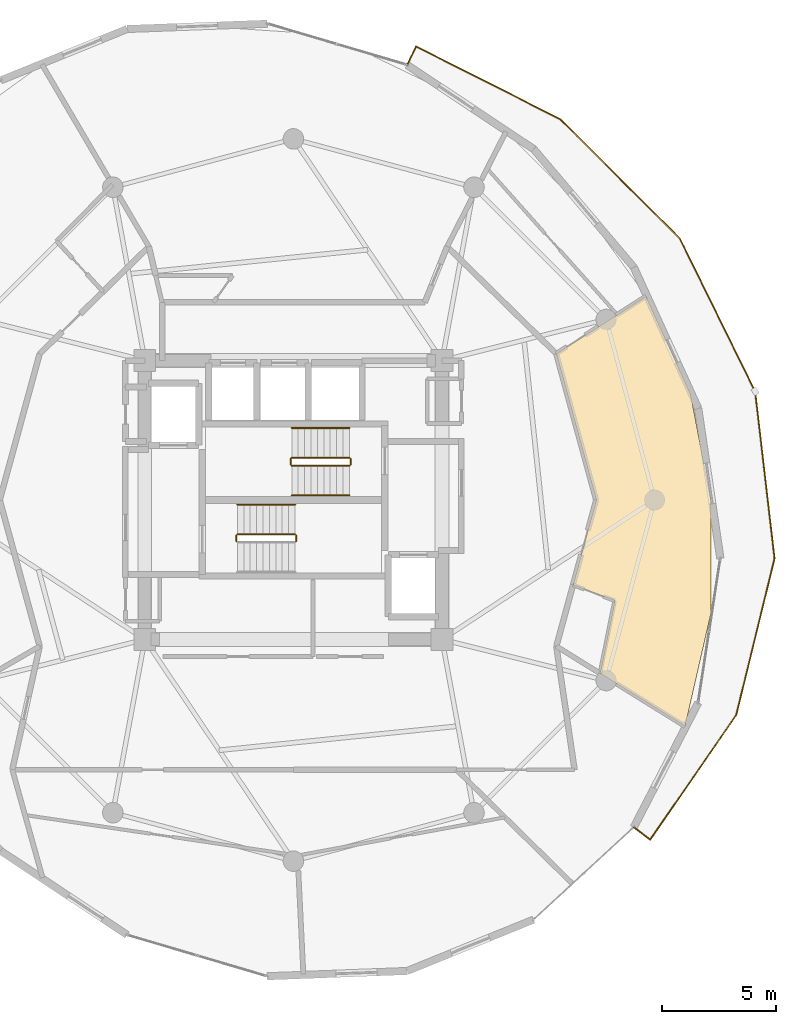
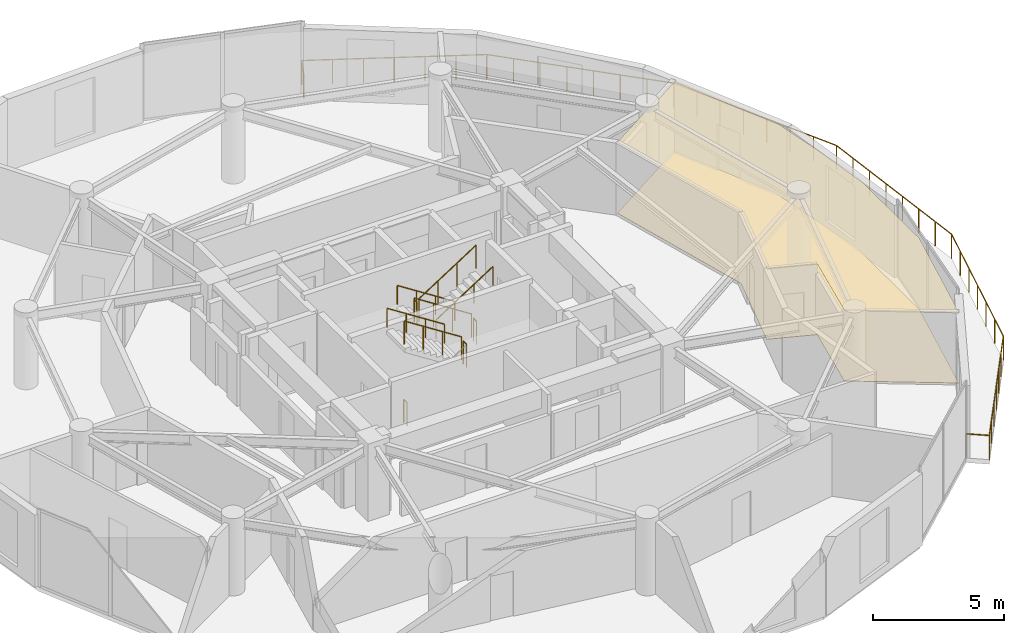
# One storey, part 23 of 24: 11 railings, 2 coverings.
"""IFC4 building model written with IfcOpenShell, lengths in metres."""

from ifc_helpers import new_model, si_unit, direction, frame, origin, origin_2d, place, context, subcontext, project, spatial, polyline, circle, outline, extrude, material, layer, layer_set, type_object, element, save


model = new_model("IFC4")

# Units and contexts
model_context = context("Model", 3, precision=1e-05, world=origin(), true_north=direction((0.0, 1.0)))
body_context = subcontext(model_context, "Body", "Model", "MODEL_VIEW")
ifc_project = project(units=[si_unit("LENGTHUNIT", "METRE"), si_unit("AREAUNIT", "SQUARE_METRE"), si_unit("VOLUMEUNIT", "CUBIC_METRE"), si_unit("PLANEANGLEUNIT", "RADIAN"), si_unit("MASSUNIT", "GRAM", prefix="KILO")], contexts=[model_context])

# Site, building, storey
site_placement = place(None, origin())
site = spatial("IfcSite", under=ifc_project, at=site_placement, CompositionType="ELEMENT")
building_placement = place(site_placement, origin())
building = spatial("IfcBuilding", under=site, at=building_placement, Name="Solvirekh Grand Hotel", CompositionType="ELEMENT")
storey_placement = place(building_placement, frame((0.0, 0.0, 184.0)))
storey = spatial("IfcBuildingStorey", under=building, at=storey_placement, Name="L47", CompositionType="ELEMENT", Elevation=184.0)

# Coverings
ifc_material_1 = material(Name="Acoustic Mineral Ceiling Tile")
ifc_layer_1 = layer(ifc_material_1, 0.02490234375)
ifc_layer_set_1 = layer_set([ifc_layer_1], Name="Acoustic Mineral Ceiling Tile")
covering_type_1 = type_object("IfcCoveringType", Name="Cov_Ceiling_Acoustic", PredefinedType="CEILING", material=ifc_layer_set_1)
covering_1_placement = place(storey_placement, frame((0.0, 0.0, 3.31005859375)))
element("IfcCovering", 1, at=covering_1_placement, inside=storey, type_object=covering_type_1, Name="L47 Diplomatic Suite 4903 Living Room acoustic ceiling", PredefinedType="CEILING", context=body_context, shape_type="SweptSolid", body=[
    extrude(outline(polyline([(14.06201171875, -4.40087890625), (13.4169921875, -7.587890625), (17.135009765625, -9.89306640625), (18.279052734375, -4.89794921875), (18.260986328125, 0.0), (17.3701171875, 4.654052734375), (15.428955078125, 8.907958984375), (11.501953125, 6.39990234375), (13.25, 0.0), (12.236083984375, -3.7119140625), (14.06201171875, -4.40087890625)])), origin(), (0.0, 0.0, 1.0), 0.017822265625),
])
ifc_material_2 = material(Name="Porcelain Stoneware Flooring", Category="masonry")
ifc_layer_2 = layer(ifc_material_2, 0.030029296875)
ifc_layer_set_2 = layer_set([ifc_layer_2], Name="Porcelain Stoneware Flooring")
covering_type_2 = type_object("IfcCoveringType", Name="Cov_Floor_Stone", PredefinedType="FLOORING", material=ifc_layer_set_2)
covering_2_placement = place(storey_placement, origin())
element("IfcCovering", 2, at=covering_2_placement, inside=storey, type_object=covering_type_2, Name="L47 Diplomatic Suite 4903 Living Room polished granite flooring", PredefinedType="FLOORING", context=body_context, shape_type="SweptSolid", body=[
    extrude(outline(polyline([(14.06201171875, -4.40087890625), (13.4169921875, -7.587890625), (17.135009765625, -9.89306640625), (18.279052734375, -4.89794921875), (18.260986328125, 0.0), (17.3701171875, 4.654052734375), (15.428955078125, 8.907958984375), (11.501953125, 6.39990234375), (13.25, 0.0), (12.236083984375, -3.7119140625), (14.06201171875, -4.40087890625)])), origin(), (0.0, 0.0, 1.0), 0.02001953125),
])

# Railings
ifc_material_3 = material(Name="Anodized Bronze Aluminium 6063-T6", Category="aluminium")
railing_type_1 = type_object("IfcRailingType", Name="Guard_ExtGlass_1150", PredefinedType="BALUSTRADE", material=ifc_material_3)
railing_1_placement = place(storey_placement, frame((14.89111328125, -14.319091796875, 0.0)))
element("IfcRailing", 3, at=railing_1_placement, inside=storey, type_object=railing_type_1, Name="L47 balc perimeter glass balustrade", PredefinedType="BALUSTRADE", context=body_context, shape_type="SweptSolid", body=[
    extrude(circle(Radius=0.02392578125, at=origin_2d()), frame((0.0, 0.0, 1.1259765625), z_axis=(0.796601162695, -0.60450524199, 0.0), x_axis=(0.60450524199, 0.796601162695, 0.0)), (0.0, 0.0, 1.0), 0.89990234375),
    extrude(circle(Radius=0.02392578125, at=origin_2d()), frame((0.716796875, -0.5439453125, 1.1259765625), z_axis=(0.568209721012, 0.822883778518, 0.0), x_axis=(-0.822883778518, 0.568209721012, 0.0)), (0.0, 0.0, 1.0), 6.6279296875),
    extrude(circle(Radius=0.02392578125, at=origin_2d()), frame((4.48291015625, 4.91015625, 1.1259765625), z_axis=(0.237768093972, 0.971321951512, 0.0), x_axis=(-0.971321951512, 0.237768093972, 0.0)), (0.0, 0.0, 1.0), 7.052978515625),
    extrude(circle(Radius=0.02392578125, at=origin_2d()), frame((6.159912109375, 11.760986328125, 1.1259765625), z_axis=(-0.115573972001, 0.993298875966, 0.0), x_axis=(-0.993298875966, -0.115573972001, 0.0)), (0.0, 0.0, 1.0), 7.35546875),
    extrude(circle(Radius=0.02392578125, at=origin_2d()), frame((5.309814453125, 19.067138671875, 1.1259765625), z_axis=(-0.442281327109, 0.896876372579, 0.0), x_axis=(-0.896876372579, -0.442281327109, 0.0)), (0.0, 0.0, 1.0), 7.474609375),
    extrude(circle(Radius=0.02392578125, at=origin_2d()), frame((2.00390625, 25.77099609375, 1.1259765625), z_axis=(-0.707983027488, 0.706229447693, 0.0), x_axis=(-0.706229447693, -0.707983027488, 0.0)), (0.0, 0.0, 1.0), 7.37890625),
    extrude(circle(Radius=0.02392578125, at=origin_2d()), frame((-3.22021484375, 30.982177734375, 1.1259765625), z_axis=(-0.892894952075, 0.450265038127, 0.0), x_axis=(-0.450265038127, -0.892894952075, 0.0)), (0.0, 0.0, 1.0), 7.066650390625),
    extrude(circle(Radius=0.02392578125, at=origin_2d()), frame((-9.530029296875, 34.1640625, 1.1259765625), z_axis=(-0.425810106034, -0.904812551637, 0.0), x_axis=(0.904812551637, -0.425810106034, 0.0)), (0.0, 0.0, 1.0), 0.899658203125),
    extrude(circle(Radius=0.02099609375, at=origin_2d()), origin(), (0.0, 0.0, 1.0), 1.101806640625),
    extrude(circle(Radius=0.02099609375, at=origin_2d()), frame((0.716796875, -0.5439453125, 0.0)), (0.0, 0.0, 1.0), 1.101806640625),
    extrude(circle(Radius=0.02099609375, at=origin_2d()), frame((1.344482421875, 0.364990234375, 0.0)), (0.0, 0.0, 1.0), 1.101806640625),
    extrude(circle(Radius=0.02099609375, at=origin_2d()), frame((1.97216796875, 1.274169921875, 0.0)), (0.0, 0.0, 1.0), 1.101806640625),
    extrude(circle(Radius=0.02099609375, at=origin_2d()), frame((2.599853515625, 2.18310546875, 0.0)), (0.0, 0.0, 1.0), 1.101806640625),
    extrude(circle(Radius=0.02099609375, at=origin_2d()), frame((3.2275390625, 3.092041015625, 0.0)), (0.0, 0.0, 1.0), 1.101806640625),
    extrude(circle(Radius=0.02099609375, at=origin_2d()), frame((3.855224609375, 4.001220703125, 0.0)), (0.0, 0.0, 1.0), 1.101806640625),
    extrude(circle(Radius=0.02099609375, at=origin_2d()), frame((4.48291015625, 4.91015625, 0.0)), (0.0, 0.0, 1.0), 1.101806640625),
    extrude(circle(Radius=0.02099609375, at=origin_2d()), frame((4.762451171875, 6.052001953125, 0.0)), (0.0, 0.0, 1.0), 1.101806640625),
    extrude(circle(Radius=0.02099609375, at=origin_2d()), frame((5.0419921875, 7.19384765625, 0.0)), (0.0, 0.0, 1.0), 1.101806640625),
    extrude(circle(Radius=0.02099609375, at=origin_2d()), frame((5.3212890625, 8.33544921875, 0.0)), (0.0, 0.0, 1.0), 1.101806640625),
    extrude(circle(Radius=0.02099609375, at=origin_2d()), frame((5.600830078125, 9.477294921875, 0.0)), (0.0, 0.0, 1.0), 1.101806640625),
    extrude(circle(Radius=0.02099609375, at=origin_2d()), frame((5.88037109375, 10.619140625, 0.0)), (0.0, 0.0, 1.0), 1.101806640625),
    extrude(circle(Radius=0.02099609375, at=origin_2d()), frame((6.159912109375, 11.760986328125, 0.0)), (0.0, 0.0, 1.0), 1.101806640625),
    extrude(circle(Radius=0.02099609375, at=origin_2d()), frame((6.03857421875, 12.8046875, 0.0)), (0.0, 0.0, 1.0), 1.101806640625),
    extrude(circle(Radius=0.02099609375, at=origin_2d()), frame((5.9169921875, 13.848388671875, 0.0)), (0.0, 0.0, 1.0), 1.101806640625),
    extrude(circle(Radius=0.02099609375, at=origin_2d()), frame((5.795654296875, 14.89208984375, 0.0)), (0.0, 0.0, 1.0), 1.101806640625),
    extrude(circle(Radius=0.02099609375, at=origin_2d()), frame((5.674072265625, 15.93603515625, 0.0)), (0.0, 0.0, 1.0), 1.101806640625),
    extrude(circle(Radius=0.02099609375, at=origin_2d()), frame((5.552734375, 16.979736328125, 0.0)), (0.0, 0.0, 1.0), 1.101806640625),
    extrude(circle(Radius=0.02099609375, at=origin_2d()), frame((5.43115234375, 18.0234375, 0.0)), (0.0, 0.0, 1.0), 1.101806640625),
    extrude(circle(Radius=0.02099609375, at=origin_2d()), frame((5.309814453125, 19.067138671875, 0.0)), (0.0, 0.0, 1.0), 1.101806640625),
    extrude(circle(Radius=0.02099609375, at=origin_2d()), frame((4.837646484375, 20.02490234375, 0.0)), (0.0, 0.0, 1.0), 1.101806640625),
    extrude(circle(Radius=0.02099609375, at=origin_2d()), frame((4.365234375, 20.982421875, 0.0)), (0.0, 0.0, 1.0), 1.101806640625),
    extrude(circle(Radius=0.02099609375, at=origin_2d()), frame((3.89306640625, 21.940185546875, 0.0)), (0.0, 0.0, 1.0), 1.101806640625),
    extrude(circle(Radius=0.02099609375, at=origin_2d()), frame((3.420654296875, 22.89794921875, 0.0)), (0.0, 0.0, 1.0), 1.101806640625),
    extrude(circle(Radius=0.02099609375, at=origin_2d()), frame((2.948486328125, 23.855712890625, 0.0)), (0.0, 0.0, 1.0), 1.101806640625),
    extrude(circle(Radius=0.02099609375, at=origin_2d()), frame((2.47607421875, 24.813232421875, 0.0)), (0.0, 0.0, 1.0), 1.101806640625),
    extrude(circle(Radius=0.02099609375, at=origin_2d()), frame((2.00390625, 25.77099609375, 0.0)), (0.0, 0.0, 1.0), 1.101806640625),
    extrude(circle(Radius=0.02099609375, at=origin_2d()), frame((1.257568359375, 26.515380859375, 0.0)), (0.0, 0.0, 1.0), 1.101806640625),
    extrude(circle(Radius=0.02099609375, at=origin_2d()), frame((0.51123046875, 27.260009765625, 0.0)), (0.0, 0.0, 1.0), 1.101806640625),
    extrude(circle(Radius=0.02099609375, at=origin_2d()), frame((-0.235107421875, 28.00439453125, 0.0)), (0.0, 0.0, 1.0), 1.101806640625),
    extrude(circle(Radius=0.02099609375, at=origin_2d()), frame((-0.981201171875, 28.748779296875, 0.0)), (0.0, 0.0, 1.0), 1.101806640625),
    extrude(circle(Radius=0.02099609375, at=origin_2d()), frame((-1.7275390625, 29.4931640625, 0.0)), (0.0, 0.0, 1.0), 1.101806640625),
    extrude(circle(Radius=0.02099609375, at=origin_2d()), frame((-2.473876953125, 30.23779296875, 0.0)), (0.0, 0.0, 1.0), 1.101806640625),
    extrude(circle(Radius=0.02099609375, at=origin_2d()), frame((-3.22021484375, 30.982177734375, 0.0)), (0.0, 0.0, 1.0), 1.101806640625),
    extrude(circle(Radius=0.02099609375, at=origin_2d()), frame((-4.27197265625, 31.512451171875, 0.0)), (0.0, 0.0, 1.0), 1.101806640625),
    extrude(circle(Radius=0.02099609375, at=origin_2d()), frame((-5.323486328125, 32.042724609375, 0.0)), (0.0, 0.0, 1.0), 1.101806640625),
    extrude(circle(Radius=0.02099609375, at=origin_2d()), frame((-6.375, 32.5732421875, 0.0)), (0.0, 0.0, 1.0), 1.101806640625),
    extrude(circle(Radius=0.02099609375, at=origin_2d()), frame((-7.4267578125, 33.103515625, 0.0)), (0.0, 0.0, 1.0), 1.101806640625),
    extrude(circle(Radius=0.02099609375, at=origin_2d()), frame((-8.478515625, 33.6337890625, 0.0)), (0.0, 0.0, 1.0), 1.101806640625),
    extrude(circle(Radius=0.02099609375, at=origin_2d()), frame((-9.530029296875, 34.1640625, 0.0)), (0.0, 0.0, 1.0), 1.101806640625),
    extrude(circle(Radius=0.02099609375, at=origin_2d()), frame((-9.9130859375, 33.35009765625, 0.0)), (0.0, 0.0, 1.0), 1.101806640625),
])
ifc_material_4 = material(Name="Steel S355", Category="steel")
railing_type_2 = type_object("IfcRailingType", Name="Guard_Stair_1100", PredefinedType="GUARDRAIL", material=ifc_material_4)
railing_2_placement = place(storey_placement, frame((0.1201171875, -1.800048828125, 1.800048828125)))
element("IfcRailing", 4, at=railing_2_placement, inside=storey, type_object=railing_type_2, Name="L47 ST-1 stair guard 2", PredefinedType="GUARDRAIL", context=body_context, shape_type="SweptSolid", body=[
    extrude(circle(Radius=0.02392578125, at=origin_2d()), frame((0.0, 0.0, 1.076171875), z_axis=(0.0, 1.0, 0.0), x_axis=(-1.0, 0.0, 0.0)), (0.0, 0.0, 1.0), 0.25),
    extrude(circle(Radius=0.02099609375, at=origin_2d()), origin(), (0.0, 0.0, 1.0), 1.052001953125),
    extrude(circle(Radius=0.02099609375, at=origin_2d()), frame((0.0, 0.25, 0.0)), (0.0, 0.0, 1.0), 1.052001953125),
])
railing_3_placement = place(storey_placement, frame((0.070068359375, -1.5, 1.97998046875)))
element("IfcRailing", 5, at=railing_3_placement, inside=storey, type_object=railing_type_2, Name="L47 ST-1 stair guard 3", PredefinedType="GUARDRAIL", context=body_context, shape_type="SweptSolid", body=[
    extrude(circle(Radius=0.02392578125, at=origin_2d()), frame((0.0, 0.0, 1.076171875), z_axis=(-0.841162588446, 0.0, 0.540782303519), x_axis=(0.0, -1.0, 0.0)), (0.0, 0.0, 1.0), 2.995849609375),
    extrude(circle(Radius=0.02099609375, at=origin_2d()), origin(), (0.0, 0.0, 1.0), 1.052001953125),
    extrude(circle(Radius=0.02099609375, at=origin_2d()), frame((-0.840087890625, 0.0, 0.5400390625)), (0.0, 0.0, 1.0), 1.052001953125),
    extrude(circle(Radius=0.02099609375, at=origin_2d()), frame((-1.679931640625, 0.0, 1.080078125)), (0.0, 0.0, 1.0), 1.052001953125),
    extrude(circle(Radius=0.02099609375, at=origin_2d()), frame((-2.52001953125, 0.0, 1.6201171875)), (0.0, 0.0, 1.0), 1.052001953125),
])
railing_4_placement = place(storey_placement, frame((-2.5, -1.800048828125, 0.0)))
element("IfcRailing", 6, at=railing_4_placement, inside=storey, type_object=railing_type_2, Name="L47 ST-1 stair guard 4", PredefinedType="GUARDRAIL", context=body_context, shape_type="SweptSolid", body=[
    extrude(circle(Radius=0.02392578125, at=origin_2d()), frame((0.0, 0.0, 1.076171875), z_axis=(0.0, 1.0, 0.0), x_axis=(-1.0, 0.0, 0.0)), (0.0, 0.0, 1.0), 0.25),
    extrude(circle(Radius=0.02099609375, at=origin_2d()), origin(), (0.0, 0.0, 1.0), 1.052001953125),
    extrude(circle(Radius=0.02099609375, at=origin_2d()), frame((0.0, 0.25, 0.0)), (0.0, 0.0, 1.0), 1.052001953125),
])
railing_5_placement = place(storey_placement, frame((2.449951171875, 1.85009765625, 0.179931640625)))
element("IfcRailing", 7, at=railing_5_placement, inside=storey, type_object=railing_type_2, Name="L47 ST-2 stair guard 1", PredefinedType="GUARDRAIL", context=body_context, shape_type="SweptSolid", body=[
    extrude(circle(Radius=0.02392578125, at=origin_2d()), frame((0.0, 0.0, 1.076171875), z_axis=(-0.841162588446, 0.0, 0.540782303519), x_axis=(0.0, -1.0, 0.0)), (0.0, 0.0, 1.0), 2.995849609375),
    extrude(circle(Radius=0.02099609375, at=origin_2d()), origin(), (0.0, 0.0, 1.0), 1.052001953125),
    extrude(circle(Radius=0.02099609375, at=origin_2d()), frame((-0.840087890625, 0.0, 0.5400390625)), (0.0, 0.0, 1.0), 1.052001953125),
    extrude(circle(Radius=0.02099609375, at=origin_2d()), frame((-1.679931640625, 0.0, 1.080078125)), (0.0, 0.0, 1.0), 1.052001953125),
    extrude(circle(Radius=0.02099609375, at=origin_2d()), frame((-2.52001953125, 0.0, 1.6201171875)), (0.0, 0.0, 1.0), 1.052001953125),
])
railing_6_placement = place(storey_placement, frame((-0.1201171875, 1.800048828125, 1.800048828125)))
element("IfcRailing", 8, at=railing_6_placement, inside=storey, type_object=railing_type_2, Name="L47 ST-2 stair guard 2", PredefinedType="GUARDRAIL", context=body_context, shape_type="SweptSolid", body=[
    extrude(circle(Radius=0.02392578125, at=origin_2d()), frame((0.0, 0.0, 1.076171875), z_axis=(0.0, -1.0, 0.0), x_axis=(1.0, 0.0, 0.0)), (0.0, 0.0, 1.0), 0.25),
    extrude(circle(Radius=0.02099609375, at=origin_2d()), origin(), (0.0, 0.0, 1.0), 1.052001953125),
    extrude(circle(Radius=0.02099609375, at=origin_2d()), frame((0.0, -0.25, 0.0)), (0.0, 0.0, 1.0), 1.052001953125),
])
railing_7_placement = place(storey_placement, frame((-0.070068359375, 1.5, 1.97998046875)))
element("IfcRailing", 9, at=railing_7_placement, inside=storey, type_object=railing_type_2, Name="L47 ST-2 stair guard 3", PredefinedType="GUARDRAIL", context=body_context, shape_type="SweptSolid", body=[
    extrude(circle(Radius=0.02392578125, at=origin_2d()), frame((0.0, 0.0, 1.076171875), z_axis=(0.841162588446, 0.0, 0.540782303519), x_axis=(0.0, 1.0, 0.0)), (0.0, 0.0, 1.0), 2.995849609375),
    extrude(circle(Radius=0.02099609375, at=origin_2d()), origin(), (0.0, 0.0, 1.0), 1.052001953125),
    extrude(circle(Radius=0.02099609375, at=origin_2d()), frame((0.840087890625, 0.0, 0.5400390625)), (0.0, 0.0, 1.0), 1.052001953125),
    extrude(circle(Radius=0.02099609375, at=origin_2d()), frame((1.679931640625, 0.0, 1.080078125)), (0.0, 0.0, 1.0), 1.052001953125),
    extrude(circle(Radius=0.02099609375, at=origin_2d()), frame((2.52001953125, 0.0, 1.6201171875)), (0.0, 0.0, 1.0), 1.052001953125),
])
railing_8_placement = place(storey_placement, frame((2.5, 1.800048828125, 0.0)))
element("IfcRailing", 10, at=railing_8_placement, inside=storey, type_object=railing_type_2, Name="L47 ST-2 stair guard 4", PredefinedType="GUARDRAIL", context=body_context, shape_type="SweptSolid", body=[
    extrude(circle(Radius=0.02392578125, at=origin_2d()), frame((0.0, 0.0, 1.076171875), z_axis=(0.0, -1.0, 0.0), x_axis=(1.0, 0.0, 0.0)), (0.0, 0.0, 1.0), 0.25),
    extrude(circle(Radius=0.02099609375, at=origin_2d()), origin(), (0.0, 0.0, 1.0), 1.052001953125),
    extrude(circle(Radius=0.02099609375, at=origin_2d()), frame((0.0, -0.25, 0.0)), (0.0, 0.0, 1.0), 1.052001953125),
])
railing_type_3 = type_object("IfcRailingType", Name="Handrail_Wall_900", PredefinedType="HANDRAIL", material=ifc_material_3)
for number, where, name in (
    (11, (0.070068359375, -0.199951171875, 1.97998046875), "L47 ST-1 stair handrail 2"),
    (12, (2.449951171875, 3.14990234375, 0.179931640625), "L47 ST-2 stair handrail 1"),
):
    element("IfcRailing", number, at=place(storey_placement, frame(where)), inside=storey, type_object=railing_type_3, Name=name, PredefinedType="HANDRAIL", context=body_context, shape_type="SweptSolid", body=[
        extrude(circle(Radius=0.02392578125, at=origin_2d()), frame((0.0, 0.0, 0.8759765625), z_axis=(-0.841162588446, 0.0, 0.540782303519), x_axis=(0.0, -1.0, 0.0)), (0.0, 0.0, 1.0), 2.995849609375),
        extrude(circle(Radius=0.02099609375, at=origin_2d()), origin(), (0.0, 0.0, 1.0), 0.851806640625),
        extrude(circle(Radius=0.02099609375, at=origin_2d()), frame((-0.840087890625, 0.0, 0.5400390625)), (0.0, 0.0, 1.0), 0.851806640625),
        extrude(circle(Radius=0.02099609375, at=origin_2d()), frame((-1.679931640625, 0.0, 1.080078125)), (0.0, 0.0, 1.0), 0.851806640625),
        extrude(circle(Radius=0.02099609375, at=origin_2d()), frame((-2.52001953125, 0.0, 1.6201171875)), (0.0, 0.0, 1.0), 0.851806640625),
    ])
railing_9_placement = place(storey_placement, frame((-0.070068359375, 0.199951171875, 1.97998046875)))
element("IfcRailing", 13, at=railing_9_placement, inside=storey, type_object=railing_type_3, Name="L47 ST-2 stair handrail 2", PredefinedType="HANDRAIL", context=body_context, shape_type="SweptSolid", body=[
    extrude(circle(Radius=0.02392578125, at=origin_2d()), frame((0.0, 0.0, 0.8759765625), z_axis=(0.841162588446, 0.0, 0.540782303519), x_axis=(0.0, 1.0, 0.0)), (0.0, 0.0, 1.0), 2.995849609375),
    extrude(circle(Radius=0.02099609375, at=origin_2d()), origin(), (0.0, 0.0, 1.0), 0.851806640625),
    extrude(circle(Radius=0.02099609375, at=origin_2d()), frame((0.840087890625, 0.0, 0.5400390625)), (0.0, 0.0, 1.0), 0.851806640625),
    extrude(circle(Radius=0.02099609375, at=origin_2d()), frame((1.679931640625, 0.0, 1.080078125)), (0.0, 0.0, 1.0), 0.851806640625),
    extrude(circle(Radius=0.02099609375, at=origin_2d()), frame((2.52001953125, 0.0, 1.6201171875)), (0.0, 0.0, 1.0), 0.851806640625),
])

save(model, "model.ifc")
